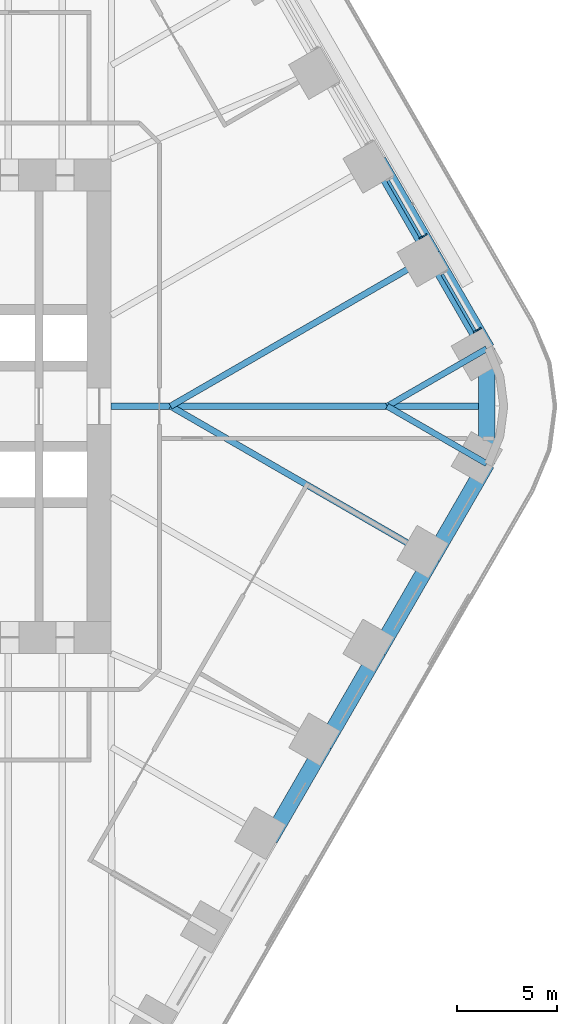
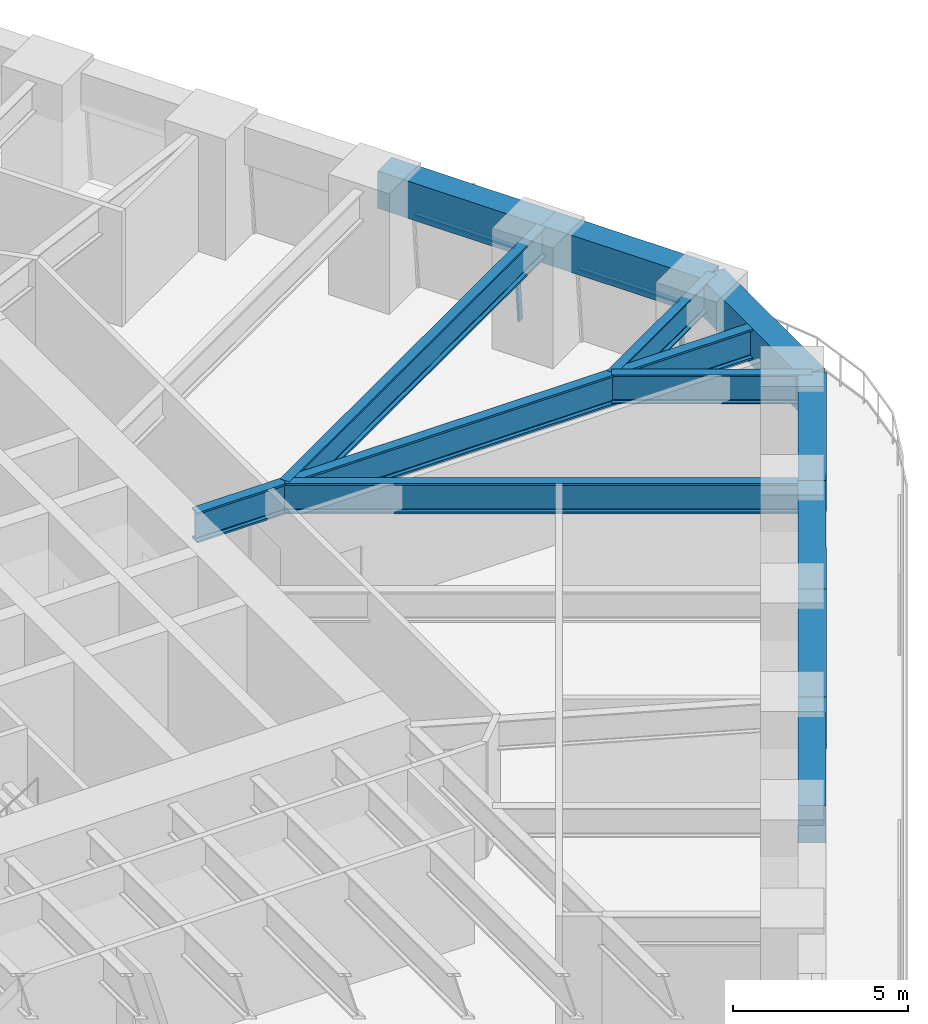
# One storey, part 12 of 23: 12 beams, 4 members, 2 elements without a shape of their own.
"""IFC4 building model written with IfcOpenShell, lengths in metres."""

from ifc_helpers import new_model, si_unit, direction, frame, origin, origin_2d, place, context, subcontext, project, spatial, rectangle, i_section, extrude, material, material_profile, profile_set, type_object, element, aggregate, save


model = new_model("IFC4")

# Units and contexts
model_context = context("Model", 3, precision=1e-05, world=origin(), true_north=direction((0.0, 1.0)))
body_context = subcontext(model_context, "Body", "Model", "MODEL_VIEW")
ifc_project = project(units=[si_unit("LENGTHUNIT", "METRE"), si_unit("AREAUNIT", "SQUARE_METRE"), si_unit("VOLUMEUNIT", "CUBIC_METRE"), si_unit("PLANEANGLEUNIT", "RADIAN"), si_unit("MASSUNIT", "GRAM", prefix="KILO")], contexts=[model_context])

# Site, building, storey
site_placement = place(None, origin())
site = spatial("IfcSite", under=ifc_project, at=site_placement, CompositionType="ELEMENT")
building_placement = place(site_placement, origin())
building = spatial("IfcBuilding", under=site, at=building_placement, Name="Tarfa Lantern Tower", CompositionType="ELEMENT")
storey_placement = place(building_placement, frame((0.0, 0.0, 61.300048828125)))
storey = spatial("IfcBuildingStorey", under=building, at=storey_placement, Name="L13", CompositionType="ELEMENT", Elevation=61.300048828125)

# Curtain wall, member
ifc_material_1 = material(Name="Aluminium framed curtain wall", Category="aluminium")
curtain_wall_type = type_object("IfcCurtainWallType", Name="CW1 CANTED GLAZING LOW ZONE 2700", PredefinedType="USERDEFINED", material=ifc_material_1)
curtain_wall_1_placement = place(storey_placement, origin())
curtain_wall_1 = element("IfcCurtainWall", 1, at=curtain_wall_1_placement, inside=storey, type_object=curtain_wall_type, Name="CW1 NE L13", ObjectType="CURTAIN WALL", PredefinedType="USERDEFINED")
ifc_material_2 = material(Name="Aluminium mullion", Category="aluminium")
ifc_material_profile_1 = material_profile(ifc_material_2, rectangle(XDim=0.06494140625, YDim=0.199951171875, at=origin_2d()), Name="AL MULLION 65x200")
ifc_profile_set_1 = profile_set([ifc_material_profile_1], Name="Aluminium mullion")
member_type_1 = type_object("IfcMemberType", Name="CWM1 MULLION 65x200", PredefinedType="MULLION", material=ifc_profile_set_1)
member_1_placement = place(storey_placement, frame((36.9248046875, 3.84423828125, 0.0), z_axis=(-0.079774955866, -0.04610020023, 0.995746317068), x_axis=(0.500342721131, -0.865827443207, 0.0)))
member_1 = element("IfcMember", 2, at=member_1_placement, type_object=member_type_1, Name="CW1 mullion 1", PredefinedType="MULLION", context=body_context, shape_type="SweptSolid", body=[
    extrude(rectangle(XDim=0.06494140625, YDim=0.199951171875, at=origin_2d()), origin(), (0.0, 0.0, 1.0), 2.71142578125),
])

curtain_wall_2_placement = place(storey_placement, origin())
curtain_wall_2 = element("IfcCurtainWall", 3, at=curtain_wall_2_placement, inside=storey, type_object=curtain_wall_type, Name="CW1 NE L13", ObjectType="CURTAIN WALL", PredefinedType="USERDEFINED")
member_2_placement = place(storey_placement, frame((34.230712890625, 8.5107421875, 0.0), z_axis=(-0.07986442134, -0.046099868913, 0.99573916077), x_axis=(0.499919672301, -0.866071776036, 0.0)))
member_2 = element("IfcMember", 4, at=member_2_placement, type_object=member_type_1, Name="CW1 mullion 1", PredefinedType="MULLION", context=body_context, shape_type="SweptSolid", body=[
    extrude(rectangle(XDim=0.06494140625, YDim=0.199951171875, at=origin_2d()), origin(), (0.0, 0.0, 1.0), 2.71142578125),
])

# Member
ifc_material_3 = material(Name="Aluminium transom", Category="aluminium")
ifc_material_profile_2 = material_profile(ifc_material_3, rectangle(XDim=0.14990234375, YDim=0.06494140625, at=origin_2d()), Name="AL TRANSOM 150x65")
ifc_profile_set_2 = profile_set([ifc_material_profile_2], Name="Aluminium transom")
member_type_2 = type_object("IfcMemberType", Name="CWT1 TRANSOM 150x65", PredefinedType="USERDEFINED", material=ifc_profile_set_2)
member_3_placement = place(storey_placement, frame((36.69482421875, 3.748779296875, 2.66748046875), z_axis=(-0.500022939057, 0.866012159509, 0.0), x_axis=(-0.866012159509, -0.500022939057, 0.0)))
member_3 = element("IfcMember", 5, at=member_3_placement, type_object=member_type_2, Name="CW1 transom 1.2", ObjectType="TRANSOM", PredefinedType="USERDEFINED", context=body_context, shape_type="SweptSolid", body=[
    extrude(rectangle(XDim=0.14990234375, YDim=0.06494140625, at=origin_2d()), origin(), (0.0, 0.0, 1.0), 3.258544921875),
])

aggregate(curtain_wall_1, [member_1, member_3])

member_4_placement = place(storey_placement, frame((34.00048828125, 8.41552734375, 2.66748046875), z_axis=(-0.500022939057, 0.866012159509, 0.0), x_axis=(-0.866012159509, -0.500022939057, 0.0)))
member_4 = element("IfcMember", 6, at=member_4_placement, type_object=member_type_2, Name="CW1 transom 1.2", ObjectType="TRANSOM", PredefinedType="USERDEFINED", context=body_context, shape_type="SweptSolid", body=[
    extrude(rectangle(XDim=0.14990234375, YDim=0.06494140625, at=origin_2d()), origin(), (0.0, 0.0, 1.0), 3.258544921875),
])

aggregate(curtain_wall_2, [member_2, member_4])

# Beams
ifc_material_4 = material(Name="Concrete C80/95", Category="concrete")
ifc_material_profile_3 = material_profile(ifc_material_4, rectangle(XDim=0.800048828125, YDim=1.300048828125, at=origin_2d()), Name="RC 800x1300")
ifc_profile_set_3 = profile_set([ifc_material_profile_3], Name="Concrete C80/95")
beam_type_1 = type_object("IfcBeamType", Name="EB1 RC 800x1300", PredefinedType="SPANDREL", material=ifc_profile_set_3)
beam_1_placement = place(storey_placement, frame((37.285400390625, 2.860107421875, 3.349853515625), z_axis=(-0.500017906299, 0.866015065331, 0.0), x_axis=(-0.866015065331, -0.500017906299, 0.0)))
element("IfcBeam", 7, at=beam_1_placement, inside=storey, type_object=beam_type_1, Name="Edge beam NE0", PredefinedType="SPANDREL", context=body_context, shape_type="SweptSolid", body=[
    extrude(rectangle(XDim=0.800048828125, YDim=1.300048828125, at=origin_2d()), origin(), (0.0, 0.0, 1.0), 5.388427734375),
])
beam_2_placement = place(storey_placement, frame((34.591064453125, 7.526611328125, 3.349853515625), z_axis=(-0.499998287579, 0.866026392449, 0.0), x_axis=(-0.866026392449, -0.499998287579, 0.0)))
element("IfcBeam", 8, at=beam_2_placement, inside=storey, type_object=beam_type_1, Name="Edge beam NE1", PredefinedType="SPANDREL", context=body_context, shape_type="SweptSolid", body=[
    extrude(rectangle(XDim=0.800048828125, YDim=1.300048828125, at=origin_2d()), origin(), (0.0, 0.0, 1.0), 5.388671875),
])
beam_3_placement = place(storey_placement, frame((26.508056640625, -21.526611328125, 3.349853515625), z_axis=(0.500017906299, 0.866015065331, 0.0), x_axis=(-0.866015065331, 0.500017906299, 0.0)))
element("IfcBeam", 9, at=beam_3_placement, inside=storey, type_object=beam_type_1, Name="Edge beam SE2", PredefinedType="SPANDREL", context=body_context, shape_type="SweptSolid", body=[
    extrude(rectangle(XDim=0.800048828125, YDim=1.300048828125, at=origin_2d()), origin(), (0.0, 0.0, 1.0), 5.388427734375),
])
for number, where, z_axis, x_axis, name in (
    (10, (29.202392578125, -16.860107421875, 3.349853515625), (0.499998287579, 0.866026392449, 0.0), (-0.866026392449, 0.499998287579, 0.0), "Edge beam SE3"),
    (11, (31.896728515625, -12.193359375, 3.349853515625), (0.499998287579, 0.866026392449, 0.0), (-0.866026392449, 0.499998287579, 0.0), "Edge beam SE4"),
):
    element("IfcBeam", number, at=place(storey_placement, frame(where, z_axis=z_axis, x_axis=x_axis)), inside=storey, type_object=beam_type_1, Name=name, PredefinedType="SPANDREL", context=body_context, shape_type="SweptSolid", body=[
        extrude(rectangle(XDim=0.800048828125, YDim=1.300048828125, at=origin_2d()), origin(), (0.0, 0.0, 1.0), 5.388671875),
    ])
beam_4_placement = place(storey_placement, frame((34.591064453125, -7.526611328125, 3.349853515625), z_axis=(0.500017906299, 0.866015065331, 0.0), x_axis=(-0.866015065331, 0.500017906299, 0.0)))
element("IfcBeam", 12, at=beam_4_placement, inside=storey, type_object=beam_type_1, Name="Edge beam SE5", PredefinedType="SPANDREL", context=body_context, shape_type="SweptSolid", body=[
    extrude(rectangle(XDim=0.800048828125, YDim=1.300048828125, at=origin_2d()), origin(), (0.0, 0.0, 1.0), 5.388427734375),
])
beam_5_placement = place(storey_placement, frame((37.285400390625, -2.860107421875, 3.349853515625), z_axis=(0.0, 1.0, 0.0), x_axis=(-1.0, 0.0, 0.0)))
element("IfcBeam", 13, at=beam_5_placement, inside=storey, type_object=beam_type_1, Name="Edge beam SE6", PredefinedType="SPANDREL", context=body_context, shape_type="SweptSolid", body=[
    extrude(rectangle(XDim=0.800048828125, YDim=1.300048828125, at=origin_2d()), origin(), (0.0, 0.0, 1.0), 5.72021484375),
])
ifc_material_5 = material(Name="Steel S460M", Category="steel")
ifc_material_profile_4 = material_profile(ifc_material_5, i_section(OverallWidth=0.302001953125, OverallDepth=1.008056640625, WebThickness=0.02099609375, FlangeThickness=0.0400390625, FilletRadius=0.030029296875, at=origin_2d()), Name="UB1016x305x349")
ifc_profile_set_4 = profile_set([ifc_material_profile_4], Name="Steel S460M")
beam_type_2 = type_object("IfcBeamType", Name="UB1016x305x349", PredefinedType="BEAM", material=ifc_profile_set_4)
for number, where, z_axis, x_axis, name in (
    (14, (37.285400390625, 2.860107421875, 3.495849609375), (-0.866025668288, -0.499999541866, 0.0), (0.499999541866, -0.866025668288, 0.0), "Floor beam NE0"),
    (15, (37.285400390625, -2.860107421875, 3.495849609375), (-0.866025668288, 0.499999541866, 0.0), (-0.499999541866, -0.866025668288, 0.0), "Floor beam SE6"),
):
    element("IfcBeam", number, at=place(storey_placement, frame(where, z_axis=z_axis, x_axis=x_axis)), inside=storey, type_object=beam_type_2, Name=name, PredefinedType="BEAM", context=body_context, shape_type="SweptSolid", body=[
        extrude(i_section(OverallWidth=0.302001953125, OverallDepth=1.008056640625, WebThickness=0.02099609375, FlangeThickness=0.0400390625, FilletRadius=0.030029296875, at=origin_2d()), origin(), (0.0, 0.0, 1.0), 5.72021484375),
    ])
ifc_material_profile_5 = material_profile(ifc_material_5, i_section(OverallWidth=0.314208984375, OverallDepth=1.055908203125, WebThickness=0.035888671875, FlangeThickness=0.06396484375, FilletRadius=0.030029296875, at=origin_2d()), Name="UB1016x305x584")
ifc_profile_set_5 = profile_set([ifc_material_profile_5], Name="Steel S460M")
beam_type_3 = type_object("IfcBeamType", Name="UB1016x305x584", PredefinedType="BEAM", material=ifc_profile_set_5)
beam_6_placement = place(storey_placement, frame((18.60009765625, 0.0, 3.471923828125), z_axis=(1.0, 0.0, 0.0), x_axis=(0.0, 1.0, 0.0)))
element("IfcBeam", 16, at=beam_6_placement, inside=storey, type_object=beam_type_3, Name="Hip girder E", PredefinedType="BEAM", context=body_context, shape_type="SweptSolid", body=[
    extrude(i_section(OverallWidth=0.314208984375, OverallDepth=1.055908203125, WebThickness=0.035888671875, FlangeThickness=0.06396484375, FilletRadius=0.030029296875, at=origin_2d()), origin(), (0.0, 0.0, 1.0), 18.685302734375),
])
for number, where, z_axis, x_axis, name in (
    (17, (34.591064453125, 7.526611328125, 3.471923828125), (-0.86602785945, -0.499995746638, 0.0), (0.499995746638, -0.86602785945, 0.0), "Floor beam NE1"),
    (18, (34.591064453125, -7.526611328125, 3.471923828125), (-0.86602785945, 0.499995746638, 0.0), (-0.499995746638, -0.86602785945, 0.0), "Floor beam SE5"),
):
    element("IfcBeam", number, at=place(storey_placement, frame(where, z_axis=z_axis, x_axis=x_axis)), inside=storey, type_object=beam_type_3, Name=name, PredefinedType="BEAM", context=body_context, shape_type="SweptSolid", body=[
        extrude(i_section(OverallWidth=0.314208984375, OverallDepth=1.055908203125, WebThickness=0.035888671875, FlangeThickness=0.06396484375, FilletRadius=0.030029296875, at=origin_2d()), origin(), (0.0, 0.0, 1.0), 15.053466796875),
    ])

save(model, "model.ifc")
